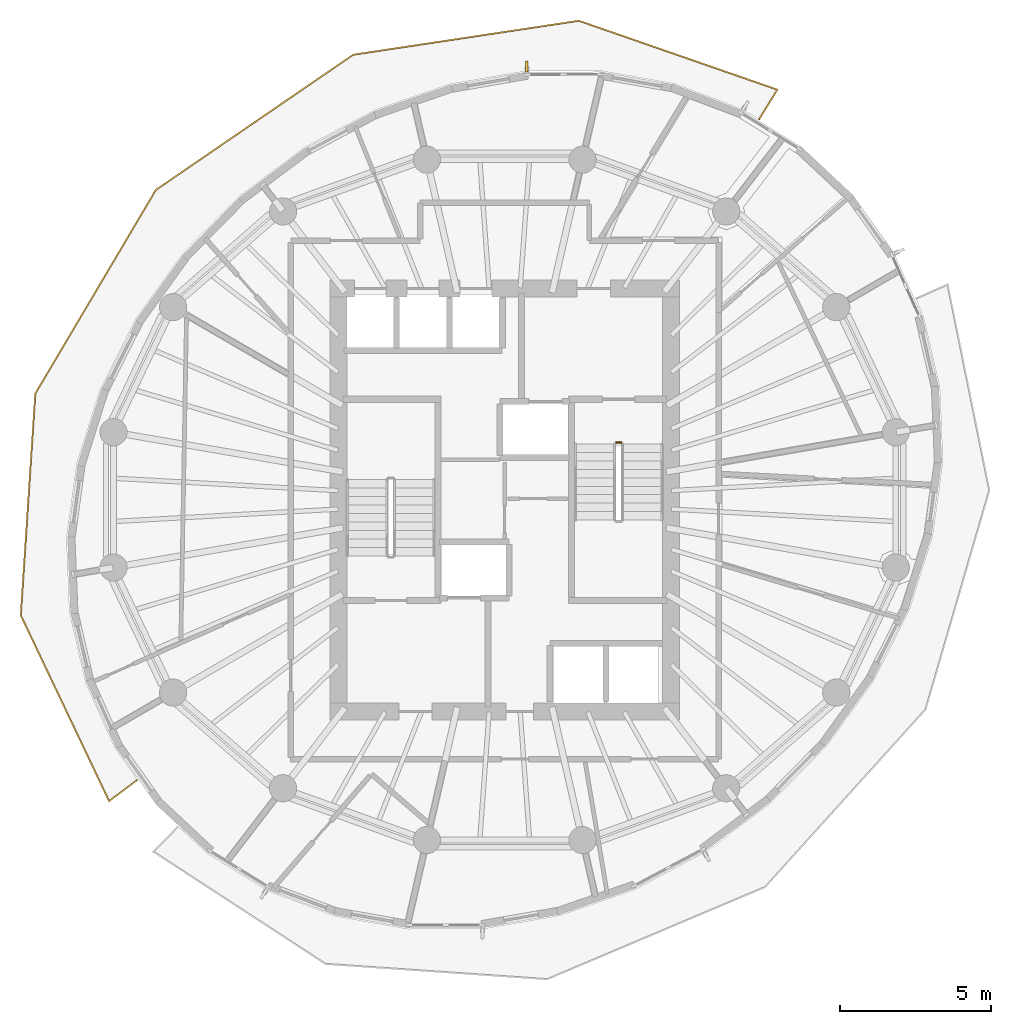
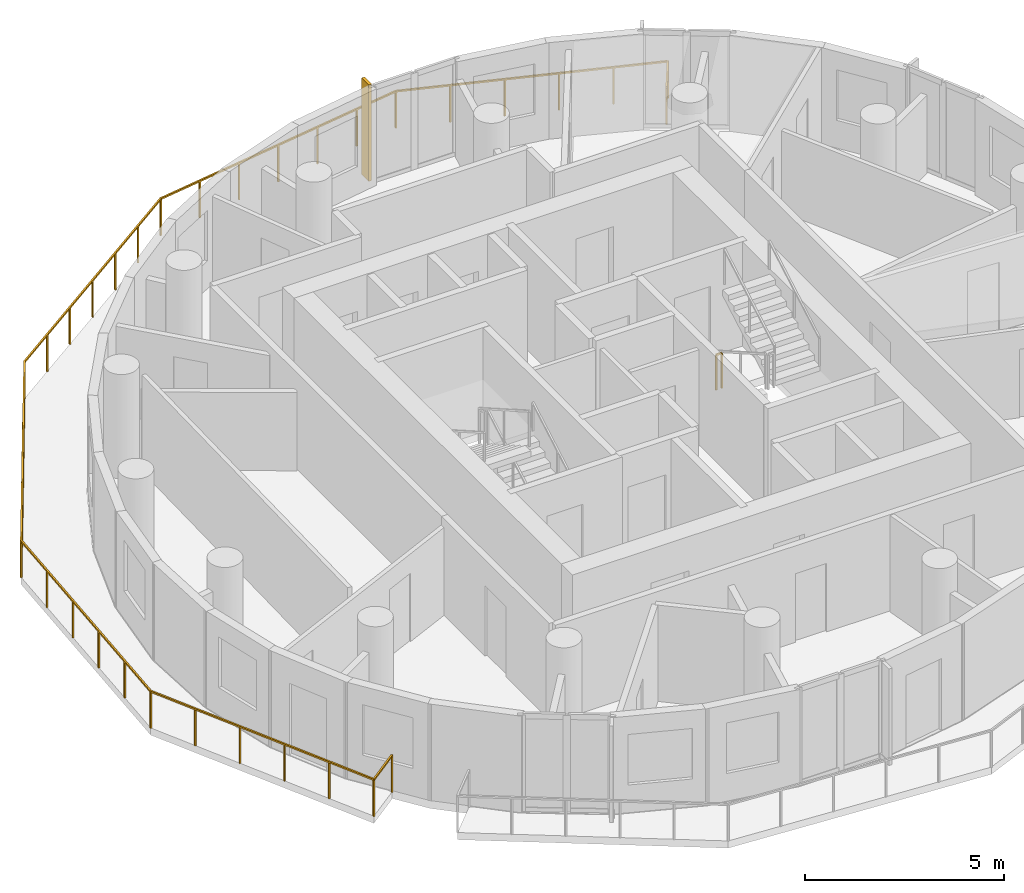
# One storey, part 9 of 10: 2 railings, 1 shading device.
"""IFC4 building model written with IfcOpenShell, lengths in metres."""

from ifc_helpers import new_model, si_unit, direction, frame, origin, origin_2d, place, context, subcontext, project, spatial, rectangle, extrude, material, layer, layer_set, type_object, element, save


model = new_model("IFC4")

# Units and contexts
model_context = context("Model", 3, precision=1e-05, world=origin(), true_north=direction((0.0, 1.0)))
body_context = subcontext(model_context, "Body", "Model", "MODEL_VIEW")
ifc_project = project(units=[si_unit("LENGTHUNIT", "METRE"), si_unit("AREAUNIT", "SQUARE_METRE"), si_unit("VOLUMEUNIT", "CUBIC_METRE"), si_unit("PLANEANGLEUNIT", "RADIAN"), si_unit("MASSUNIT", "GRAM", prefix="KILO")], contexts=[model_context])

# Site, building, storey
site_placement = place(None, origin())
site = spatial("IfcSite", under=ifc_project, at=site_placement, CompositionType="ELEMENT")
building_placement = place(site_placement, origin())
building = spatial("IfcBuilding", under=site, at=building_placement, Name="Veldorim Arch Residences", CompositionType="ELEMENT")
storey_placement = place(building_placement, frame((0.0, 0.0, 169.43994140625)))
storey = spatial("IfcBuildingStorey", under=building, at=storey_placement, Name="L50", CompositionType="ELEMENT", Elevation=169.43994140625)

# Railings
ifc_material_1 = material(Name="Aluminium", Category="aluminium")
railing_type_1 = type_object("IfcRailingType", Name="Balcony & Terrace Laminated Glass Balustrade 1150", PredefinedType="BALUSTRADE", material=ifc_material_1)
railing_1_placement = place(storey_placement, frame((40.425048828125, 36.59814453125, 0.0)))
element("IfcRailing", 1, at=railing_1_placement, inside=storey, type_object=railing_type_1, Name="L50 crescent balcony safety balustrade A", PredefinedType="BALUSTRADE", context=body_context, shape_type="SweptSolid", body=[
    extrude(rectangle(XDim=0.048095703125, YDim=0.048095703125, at=origin_2d()), frame((0.0, 0.0, 1.1259765625), z_axis=(0.524606682695, 0.851344717768, 0.0), x_axis=(-0.851344717768, 0.524606682695, 0.0)), (0.0, 0.0, 1.0), 1.14990234375),
    extrude(rectangle(XDim=0.048095703125, YDim=0.048095703125, at=origin_2d()), frame((0.603271484375, 0.97900390625, 1.1259765625), z_axis=(-0.944704924066, 0.32792164681, 0.0), x_axis=(-0.32792164681, -0.944704924066, 0.0)), (0.0, 0.0, 1.0), 6.956787109375),
    extrude(rectangle(XDim=0.048095703125, YDim=0.048095703125, at=origin_2d()), frame((-5.96875, 3.26025390625, 1.1259765625), z_axis=(-0.988865844183, -0.148809751723, 0.0), x_axis=(0.148809751723, -0.988865844183, 0.0)), (0.0, 0.0, 1.0), 7.55517578125),
    extrude(rectangle(XDim=0.048095703125, YDim=0.048095703125, at=origin_2d()), frame((-13.439697265625, 2.135986328125, 1.1259765625), z_axis=(-0.824983479583, -0.565156844085, 0.0), x_axis=(0.565156844085, -0.824983479583, 0.0)), (0.0, 0.0, 1.0), 7.919189453125),
    extrude(rectangle(XDim=0.048095703125, YDim=0.048095703125, at=origin_2d()), frame((-19.972900390625, -2.339599609375, 1.1259765625), z_axis=(-0.509292152255, -0.860593692547, 0.0), x_axis=(0.860593692547, -0.509292152255, 0.0)), (0.0, 0.0, 1.0), 7.83154296875),
    extrude(rectangle(XDim=0.048095703125, YDim=0.048095703125, at=origin_2d()), frame((-23.96142578125, -9.079345703125, 1.1259765625), z_axis=(-0.065340614692, -0.997863018691, 0.0), x_axis=(0.997863018691, -0.065340614692, 0.0)), (0.0, 0.0, 1.0), 7.35693359375),
    extrude(rectangle(XDim=0.048095703125, YDim=0.048095703125, at=origin_2d()), frame((-24.442138671875, -16.420654296875, 1.1259765625), z_axis=(0.429297420381, -0.903163177313, 0.0), x_axis=(0.903163177313, 0.429297420381, 0.0)), (0.0, 0.0, 1.0), 6.80908203125),
    extrude(rectangle(XDim=0.048095703125, YDim=0.048095703125, at=origin_2d()), frame((-21.51904296875, -22.5703125, 1.1259765625), z_axis=(0.801170297265, 0.598436425011, 0.0), x_axis=(-0.598436425011, 0.801170297265, 0.0)), (0.0, 0.0, 1.0), 1.150146484375),
    extrude(rectangle(XDim=0.0419921875, YDim=0.0419921875, at=origin_2d()), origin(), (0.0, 0.0, 1.0), 1.101806640625),
    extrude(rectangle(XDim=0.0419921875, YDim=0.0419921875, at=origin_2d()), frame((0.603271484375, 0.97900390625, 0.0)), (0.0, 0.0, 1.0), 1.101806640625),
    extrude(rectangle(XDim=0.0419921875, YDim=0.0419921875, at=origin_2d()), frame((-0.711181640625, 1.435302734375, 0.0)), (0.0, 0.0, 1.0), 1.101806640625),
    extrude(rectangle(XDim=0.0419921875, YDim=0.0419921875, at=origin_2d()), frame((-2.025634765625, 1.8916015625, 0.0)), (0.0, 0.0, 1.0), 1.101806640625),
    extrude(rectangle(XDim=0.0419921875, YDim=0.0419921875, at=origin_2d()), frame((-3.33984375, 2.34765625, 0.0)), (0.0, 0.0, 1.0), 1.101806640625),
    extrude(rectangle(XDim=0.0419921875, YDim=0.0419921875, at=origin_2d()), frame((-4.654296875, 2.803955078125, 0.0)), (0.0, 0.0, 1.0), 1.101806640625),
    extrude(rectangle(XDim=0.0419921875, YDim=0.0419921875, at=origin_2d()), frame((-5.96875, 3.26025390625, 0.0)), (0.0, 0.0, 1.0), 1.101806640625),
    extrude(rectangle(XDim=0.0419921875, YDim=0.0419921875, at=origin_2d()), frame((-7.2138671875, 3.07275390625, 0.0)), (0.0, 0.0, 1.0), 1.101806640625),
    extrude(rectangle(XDim=0.0419921875, YDim=0.0419921875, at=origin_2d()), frame((-8.458984375, 2.885498046875, 0.0)), (0.0, 0.0, 1.0), 1.101806640625),
    extrude(rectangle(XDim=0.0419921875, YDim=0.0419921875, at=origin_2d()), frame((-9.7041015625, 2.6982421875, 0.0)), (0.0, 0.0, 1.0), 1.101806640625),
    extrude(rectangle(XDim=0.0419921875, YDim=0.0419921875, at=origin_2d()), frame((-10.949462890625, 2.5107421875, 0.0)), (0.0, 0.0, 1.0), 1.101806640625),
    extrude(rectangle(XDim=0.0419921875, YDim=0.0419921875, at=origin_2d()), frame((-12.194580078125, 2.3232421875, 0.0)), (0.0, 0.0, 1.0), 1.101806640625),
    extrude(rectangle(XDim=0.0419921875, YDim=0.0419921875, at=origin_2d()), frame((-13.439697265625, 2.135986328125, 0.0)), (0.0, 0.0, 1.0), 1.101806640625),
    extrude(rectangle(XDim=0.0419921875, YDim=0.0419921875, at=origin_2d()), frame((-14.528564453125, 1.39013671875, 0.0)), (0.0, 0.0, 1.0), 1.101806640625),
    extrude(rectangle(XDim=0.0419921875, YDim=0.0419921875, at=origin_2d()), frame((-15.617431640625, 0.64404296875, 0.0)), (0.0, 0.0, 1.0), 1.101806640625),
    extrude(rectangle(XDim=0.0419921875, YDim=0.0419921875, at=origin_2d()), frame((-16.706298828125, -0.101806640625, 0.0)), (0.0, 0.0, 1.0), 1.101806640625),
    extrude(rectangle(XDim=0.0419921875, YDim=0.0419921875, at=origin_2d()), frame((-17.795166015625, -0.84765625, 0.0)), (0.0, 0.0, 1.0), 1.101806640625),
    extrude(rectangle(XDim=0.0419921875, YDim=0.0419921875, at=origin_2d()), frame((-18.884033203125, -1.59375, 0.0)), (0.0, 0.0, 1.0), 1.101806640625),
    extrude(rectangle(XDim=0.0419921875, YDim=0.0419921875, at=origin_2d()), frame((-19.972900390625, -2.339599609375, 0.0)), (0.0, 0.0, 1.0), 1.101806640625),
    extrude(rectangle(XDim=0.0419921875, YDim=0.0419921875, at=origin_2d()), frame((-20.6376953125, -3.462890625, 0.0)), (0.0, 0.0, 1.0), 1.101806640625),
    extrude(rectangle(XDim=0.0419921875, YDim=0.0419921875, at=origin_2d()), frame((-21.302490234375, -4.586181640625, 0.0)), (0.0, 0.0, 1.0), 1.101806640625),
    extrude(rectangle(XDim=0.0419921875, YDim=0.0419921875, at=origin_2d()), frame((-21.96728515625, -5.70947265625, 0.0)), (0.0, 0.0, 1.0), 1.101806640625),
    extrude(rectangle(XDim=0.0419921875, YDim=0.0419921875, at=origin_2d()), frame((-22.6318359375, -6.832763671875, 0.0)), (0.0, 0.0, 1.0), 1.101806640625),
    extrude(rectangle(XDim=0.0419921875, YDim=0.0419921875, at=origin_2d()), frame((-23.296630859375, -7.9560546875, 0.0)), (0.0, 0.0, 1.0), 1.101806640625),
    extrude(rectangle(XDim=0.0419921875, YDim=0.0419921875, at=origin_2d()), frame((-23.96142578125, -9.079345703125, 0.0)), (0.0, 0.0, 1.0), 1.101806640625),
    extrude(rectangle(XDim=0.0419921875, YDim=0.0419921875, at=origin_2d()), frame((-24.0576171875, -10.547607421875, 0.0)), (0.0, 0.0, 1.0), 1.101806640625),
    extrude(rectangle(XDim=0.0419921875, YDim=0.0419921875, at=origin_2d()), frame((-24.15380859375, -12.015869140625, 0.0)), (0.0, 0.0, 1.0), 1.101806640625),
    extrude(rectangle(XDim=0.0419921875, YDim=0.0419921875, at=origin_2d()), frame((-24.249755859375, -13.484130859375, 0.0)), (0.0, 0.0, 1.0), 1.101806640625),
    extrude(rectangle(XDim=0.0419921875, YDim=0.0419921875, at=origin_2d()), frame((-24.345947265625, -14.952392578125, 0.0)), (0.0, 0.0, 1.0), 1.101806640625),
    extrude(rectangle(XDim=0.0419921875, YDim=0.0419921875, at=origin_2d()), frame((-24.442138671875, -16.420654296875, 0.0)), (0.0, 0.0, 1.0), 1.101806640625),
    extrude(rectangle(XDim=0.0419921875, YDim=0.0419921875, at=origin_2d()), frame((-23.857421875, -17.650634765625, 0.0)), (0.0, 0.0, 1.0), 1.101806640625),
    extrude(rectangle(XDim=0.0419921875, YDim=0.0419921875, at=origin_2d()), frame((-23.27294921875, -18.880615234375, 0.0)), (0.0, 0.0, 1.0), 1.101806640625),
    extrude(rectangle(XDim=0.0419921875, YDim=0.0419921875, at=origin_2d()), frame((-22.688232421875, -20.1103515625, 0.0)), (0.0, 0.0, 1.0), 1.101806640625),
    extrude(rectangle(XDim=0.0419921875, YDim=0.0419921875, at=origin_2d()), frame((-22.103759765625, -21.34033203125, 0.0)), (0.0, 0.0, 1.0), 1.101806640625),
    extrude(rectangle(XDim=0.0419921875, YDim=0.0419921875, at=origin_2d()), frame((-21.51904296875, -22.5703125, 0.0)), (0.0, 0.0, 1.0), 1.101806640625),
    extrude(rectangle(XDim=0.0419921875, YDim=0.0419921875, at=origin_2d()), frame((-20.59765625, -21.882080078125, 0.0)), (0.0, 0.0, 1.0), 1.101806640625),
])
ifc_material_2 = material(Name="Steel S355", Category="steel")
railing_type_2 = type_object("IfcRailingType", Name="Galvanised Steel Stair Safety Guardrail 1100", PredefinedType="GUARDRAIL", material=ifc_material_2)
railing_2_placement = place(storey_placement, frame((35.68994140625, 25.89990234375, 0.0)))
element("IfcRailing", 2, at=railing_2_placement, inside=storey, type_object=railing_type_2, Name="L50 ST-2 stair guard 4", PredefinedType="GUARDRAIL", context=body_context, shape_type="SweptSolid", body=[
    extrude(rectangle(XDim=0.048095703125, YDim=0.048095703125, at=origin_2d()), frame((0.0, 0.0, 1.076171875), z_axis=(1.0, 0.0, 0.0), x_axis=(0.0, 1.0, 0.0)), (0.0, 0.0, 1.0), 0.16015625),
    extrude(rectangle(XDim=0.0419921875, YDim=0.0419921875, at=origin_2d()), origin(), (0.0, 0.0, 1.0), 1.052001953125),
    extrude(rectangle(XDim=0.0419921875, YDim=0.0419921875, at=origin_2d()), frame((0.16015625, 0.0, 0.0)), (0.0, 0.0, 1.0), 1.052001953125),
])

# Shading device
ifc_material_3 = material(Name="Terracotta Ceramic", Category="masonry")
ifc_layer = layer(ifc_material_3, 0.090087890625, Name="Vertical Extruded Terracotta Baguette Sun-Shading Fin")
ifc_layer_set = layer_set([ifc_layer], Name="Terracotta Ceramic")
shading_device_type = type_object("IfcShadingDeviceType", Name="Vertical Extruded Terracotta Baguette Sun-Shading Fin", PredefinedType="USERDEFINED", material=ifc_layer_set)
shading_device_placement = place(storey_placement, frame((32.735107421875, 38.345947265625, 0.0), z_axis=(0.0, 0.0, 1.0), x_axis=(0.999996573056, 0.002617990887, 0.0)))
element("IfcShadingDevice", 3, at=shading_device_placement, inside=storey, type_object=shading_device_type, Name="L50 vertical terracotta sun-shading fin 05", ObjectType="FIN", PredefinedType="USERDEFINED", context=body_context, shape_type="SweptSolid", body=[
    extrude(rectangle(XDim=0.090087890625, YDim=0.360107421875, at=origin_2d()), origin(), (0.0, 0.0, 1.0), 2.9599609375),
])

save(model, "model.ifc")
